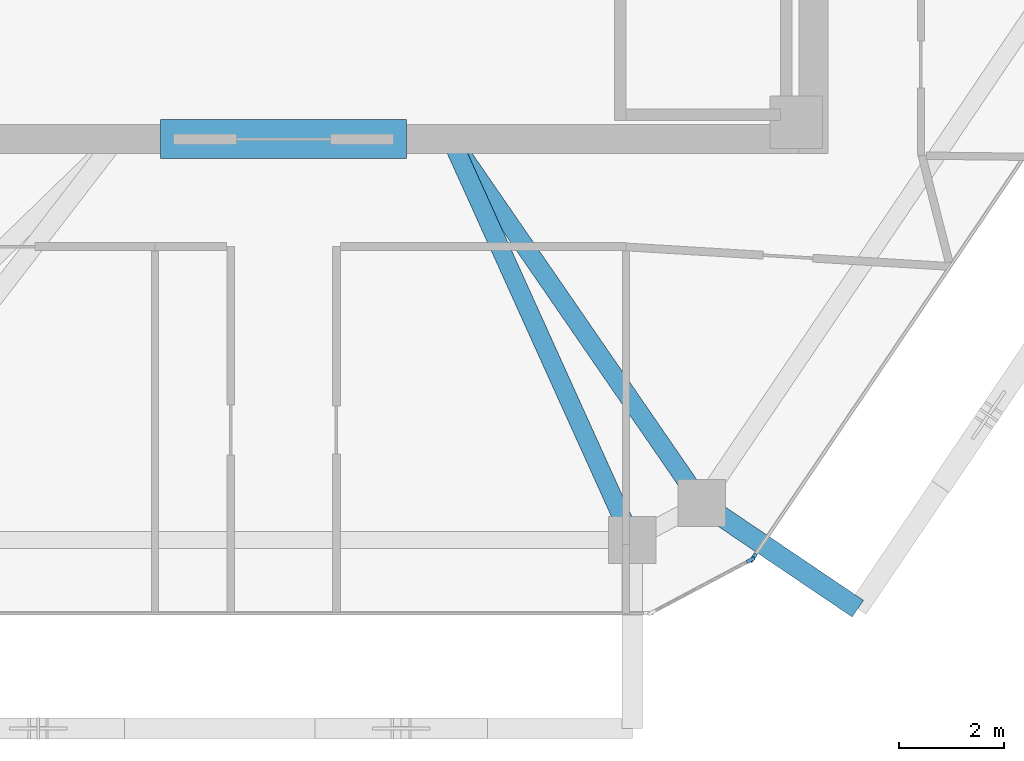
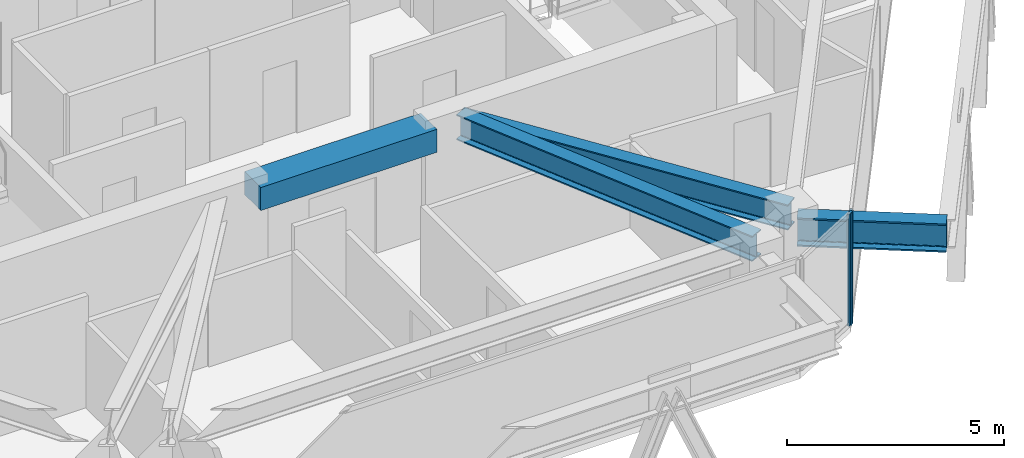
# One storey, part 3 of 13: 4 beams, 2 members, 2 elements without a shape of their own.
"""IFC4 building model written with IfcOpenShell, lengths in metres."""

from ifc_helpers import new_model, si_unit, direction, frame, origin, origin_2d, place, context, subcontext, project, spatial, rectangle, i_section, extrude, source, transform, mapped, material, layer, layer_set, material_profile, profile_set, type_object, type_shapes, element, aggregate, save


model = new_model("IFC4")

# Units and contexts
model_context = context("Model", 3, precision=1e-05, world=origin(), true_north=direction((0.0, 1.0)))
body_context = subcontext(model_context, "Body", "Model", "MODEL_VIEW")
ifc_project = project(units=[si_unit("LENGTHUNIT", "METRE"), si_unit("AREAUNIT", "SQUARE_METRE"), si_unit("VOLUMEUNIT", "CUBIC_METRE"), si_unit("PLANEANGLEUNIT", "RADIAN"), si_unit("MASSUNIT", "GRAM", prefix="KILO")], contexts=[model_context])

# Site, building, storey
site_placement = place(None, origin())
site = spatial("IfcSite", under=ifc_project, at=site_placement, CompositionType="ELEMENT")
building_placement = place(site_placement, origin())
building = spatial("IfcBuilding", under=site, at=building_placement, Name="Durnholm Broadcast Tower", CompositionType="ELEMENT")
storey_placement = place(building_placement, frame((0.0, 0.0, 254.699951171875)))
storey = spatial("IfcBuildingStorey", under=building, at=storey_placement, Name="L71", CompositionType="ELEMENT", Elevation=254.699951171875)

# Beams
ifc_material_1 = material(Name="Concrete C70/85", Category="concrete")
ifc_material_profile_1 = material_profile(ifc_material_1, rectangle(XDim=0.75, YDim=0.64990234375, at=origin_2d()), Name="RC750X650")
ifc_profile_set_1 = profile_set([ifc_material_profile_1], Name="Concrete C70/85")
beam_type_1 = type_object("IfcBeamType", Name="BM-CB-RC650", PredefinedType="LINTEL", material=ifc_profile_set_1)
shared_shape_1 = source(origin(), body_context, "Body", "SweptSolid", [
    extrude(rectangle(XDim=0.75, YDim=0.64990234375, at=origin_2d()), origin(), (0.0, 0.0, 1.0), 4.7001953125),
])
type_shapes(beam_type_1, [shared_shape_1])
beam_1_placement = place(storey_placement, frame((-2.35009765625, -8.125, 2.830078125), z_axis=(1.0, 0.0, 0.0), x_axis=(0.0, 1.0, 0.0)))
element("IfcBeam", 1, at=beam_1_placement, inside=storey, type_object=beam_type_1, Name="L71 south core coupling lintel beam CB-S", PredefinedType="LINTEL", context=body_context, shape_type="MappedRepresentation", body=[
    mapped(shared_shape_1, transform((0.0, 0.0, 0.0), x_axis=(1.0, 0.0, 0.0), y_axis=(0.0, 1.0, 0.0), z_axis=(0.0, 0.0, 1.0), scale=1.0)),
])
ifc_material_2 = material(Name="Steel ASTM A992 Grade 50", Category="steel")
ifc_material_profile_2 = material_profile(ifc_material_2, i_section(OverallWidth=0.385009765625, OverallDepth=0.802978515625, WebThickness=0.023681640625, FlangeThickness=0.0419921875, FilletRadius=0.032958984375, at=origin_2d()), Name="W30X261")
ifc_profile_set_2 = profile_set([ifc_material_profile_2], Name="Steel ASTM A992 Grade 50")
beam_type_2 = type_object("IfcBeamType", Name="BM-EXO-TIE", PredefinedType="USERDEFINED", material=ifc_profile_set_2)
shared_shape_2 = source(origin(), body_context, "Body", "SweptSolid", [
    extrude(i_section(OverallWidth=0.385009765625, OverallDepth=0.802978515625, WebThickness=0.023681640625, FlangeThickness=0.0419921875, FilletRadius=0.032958984375, at=origin_2d()), origin(), (0.0, 0.0, 1.0), 3.4560546875),
])
type_shapes(beam_type_2, [shared_shape_2])
beam_2_placement = place(storey_placement, frame((8.110107421875, -15.161865234375, 2.408447265625), z_axis=(0.828468499792, -0.560035663911, 0.0), x_axis=(0.560035663911, 0.828468499792, 0.0)))
element("IfcBeam", 2, at=beam_2_placement, inside=storey, type_object=beam_type_2, Name="L71 exoskeleton stand-off tie bracket F2.1", ObjectType="GIRDER", PredefinedType="USERDEFINED", context=body_context, shape_type="MappedRepresentation", body=[
    mapped(shared_shape_2, transform((0.0, 0.0, 0.0), x_axis=(1.0, 0.0, 0.0), y_axis=(0.0, 1.0, 0.0), z_axis=(0.0, 0.0, 1.0), scale=1.0)),
])
ifc_material_profile_3 = material_profile(ifc_material_2, i_section(OverallWidth=0.3564453125, OverallDepth=0.713623046875, WebThickness=0.01904296875, FlangeThickness=0.033935546875, FilletRadius=0.030517578125, at=origin_2d()), Name="W27X194")
ifc_profile_set_3 = profile_set([ifc_material_profile_3], Name="Steel ASTM A992 Grade 50")
beam_type_3 = type_object("IfcBeamType", Name="STL-GR-W27X194", PredefinedType="USERDEFINED", material=ifc_profile_set_3)
shared_shape_3 = source(origin(), body_context, "Body", "SweptSolid", [
    extrude(i_section(OverallWidth=0.3564453125, OverallDepth=0.713623046875, WebThickness=0.01904296875, FlangeThickness=0.033935546875, FilletRadius=0.030517578125, at=origin_2d()), origin(), (0.0, 0.0, 1.0), 8.446533203125),
])
beam_3_placement = place(storey_placement, frame((3.199951171875, -8.125, 2.788330078125), z_axis=(0.567216806915, -0.823568511997, 0.0), x_axis=(0.823568511997, 0.567216806915, 0.0)))
element("IfcBeam", 3, at=beam_3_placement, inside=storey, type_object=beam_type_3, Name="L71 radial primary floor girder 10", ObjectType="GIRDER", PredefinedType="USERDEFINED", context=body_context, shape_type="MappedRepresentation", body=[
    mapped(shared_shape_3, transform((0.0, 0.0, 0.0), x_axis=(1.0, 0.0, 0.0), y_axis=(0.0, 1.0, 0.0), z_axis=(0.0, 0.0, 1.0), scale=1.0)),
])
shared_shape_4 = source(origin(), body_context, "Body", "SweptSolid", [
    extrude(i_section(OverallWidth=0.3564453125, OverallDepth=0.713623046875, WebThickness=0.01904296875, FlangeThickness=0.033935546875, FilletRadius=0.030517578125, at=origin_2d()), origin(), (0.0, 0.0, 1.0), 8.407470703125),
])
type_shapes(beam_type_3, [shared_shape_3, shared_shape_4])
beam_4_placement = place(storey_placement, frame((3.199951171875, -8.125, 2.788330078125), z_axis=(0.411992813642, -0.911187094678, 0.0), x_axis=(0.911187094678, 0.411992813642, 0.0)))
element("IfcBeam", 4, at=beam_4_placement, inside=storey, type_object=beam_type_3, Name="L71 radial primary floor girder 11", ObjectType="GIRDER", PredefinedType="USERDEFINED", context=body_context, shape_type="MappedRepresentation", body=[
    mapped(shared_shape_4, transform((0.0, 0.0, 0.0), x_axis=(1.0, 0.0, 0.0), y_axis=(0.0, 1.0, 0.0), z_axis=(0.0, 0.0, 1.0), scale=1.0)),
])

# Curtain wall, member
ifc_material_3 = material(Name="Aluminium and Solar Control IGU", Category="aluminium")
ifc_layer_1 = layer(ifc_material_3, 0.1650390625)
ifc_layer_set_1 = layer_set([ifc_layer_1], Name="Aluminium and Solar Control IGU")
curtain_wall_type_1 = type_object("IfcCurtainWallType", Name="CW-SYS-5", PredefinedType="NOTDEFINED", material=ifc_layer_set_1)
curtain_wall_1_placement = place(storey_placement, origin())
curtain_wall_1 = element("IfcCurtainWall", 5, at=curtain_wall_1_placement, inside=storey, type_object=curtain_wall_type_1, Name="L71 curtain wall CW-CORNER CW-L71-CRN-09", PredefinedType="NOTDEFINED")
ifc_material_4 = material(Name="Aluminium 6063-T6", Category="aluminium")
ifc_material_profile_4 = material_profile(ifc_material_4, rectangle(XDim=0.06494140625, YDim=0.1650390625, at=origin_2d()), Name="CWM65X165")
ifc_profile_set_4 = profile_set([ifc_material_profile_4], Name="Aluminium 6063-T6")
member_type_1 = type_object("IfcMemberType", Name="CW-SYS-5-MUL", PredefinedType="MULLION", material=ifc_profile_set_4)
shared_shape_5 = source(origin(), body_context, "Body", "SweptSolid", [
    extrude(rectangle(XDim=0.06494140625, YDim=0.1650390625, at=origin_2d()), origin(), (0.0, 0.0, 1.0), 3.16015625),
])
type_shapes(member_type_1, [shared_shape_5])
member_1_placement = place(storey_placement, frame((8.9267578125, -16.16943359375, 0.0), z_axis=(0.0, 0.0, 1.0), x_axis=(0.469006771575, -0.883194569853, 0.0)))
member_1 = element("IfcMember", 6, at=member_1_placement, type_object=member_type_1, Name="CW-CORNER mullion 1", PredefinedType="MULLION", context=body_context, shape_type="MappedRepresentation", body=[
    mapped(shared_shape_5, transform((0.0, 0.0, 0.0), x_axis=(1.0, 0.0, 0.0), y_axis=(0.0, 1.0, 0.0), z_axis=(0.0, 0.0, 1.0), scale=1.0)),
])
aggregate(curtain_wall_1, [member_1])

ifc_layer_2 = layer(ifc_material_3, 0.18994140625)
ifc_layer_set_2 = layer_set([ifc_layer_2], Name="Aluminium and Solar Control IGU")
curtain_wall_type_2 = type_object("IfcCurtainWallType", Name="CW-SYS-4", PredefinedType="NOTDEFINED", material=ifc_layer_set_2)
curtain_wall_2_placement = place(storey_placement, origin())
curtain_wall_2 = element("IfcCurtainWall", 7, at=curtain_wall_2_placement, inside=storey, type_object=curtain_wall_type_2, Name="L71 curtain wall CW-Z34-VIS CW-L71-F08", PredefinedType="NOTDEFINED")
ifc_material_profile_5 = material_profile(ifc_material_4, rectangle(XDim=0.070068359375, YDim=0.18994140625, at=origin_2d()), Name="CWM70X190")
ifc_profile_set_5 = profile_set([ifc_material_profile_5], Name="Aluminium 6063-T6")
member_type_2 = type_object("IfcMemberType", Name="CW-SYS-4-MUL", PredefinedType="MULLION", material=ifc_profile_set_5)
shared_shape_6 = source(origin(), body_context, "Body", "SweptSolid", [
    extrude(rectangle(XDim=0.070068359375, YDim=0.18994140625, at=origin_2d()), origin(), (0.0, 0.0, 1.0), 3.16015625),
])
type_shapes(member_type_2, [shared_shape_6])
member_2_placement = place(storey_placement, frame((8.97509765625, -16.125244140625, 0.0), z_axis=(0.0, 0.0, 1.0), x_axis=(0.828443431662, -0.560072745753, 0.0)))
member_2 = element("IfcMember", 8, at=member_2_placement, type_object=member_type_2, Name="CW-Z34-VIS mullion 2", PredefinedType="MULLION", context=body_context, shape_type="MappedRepresentation", body=[
    mapped(shared_shape_6, transform((0.0, 0.0, 0.0), x_axis=(1.0, 0.0, 0.0), y_axis=(0.0, 1.0, 0.0), z_axis=(0.0, 0.0, 1.0), scale=1.0)),
])
aggregate(curtain_wall_2, [member_2])

save(model, "model.ifc")
